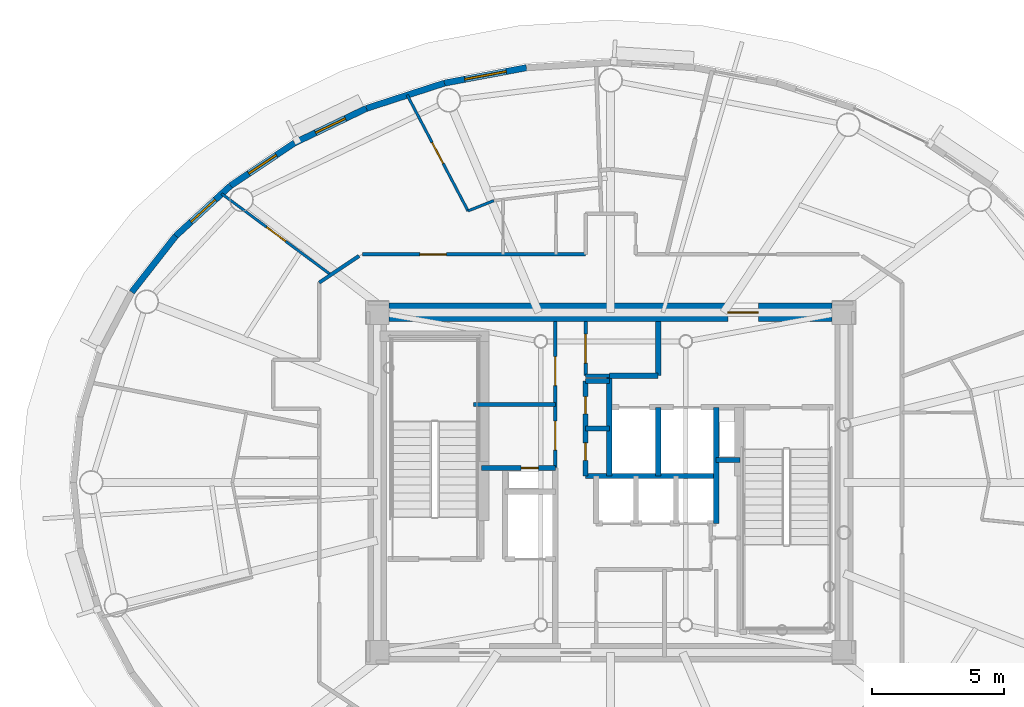
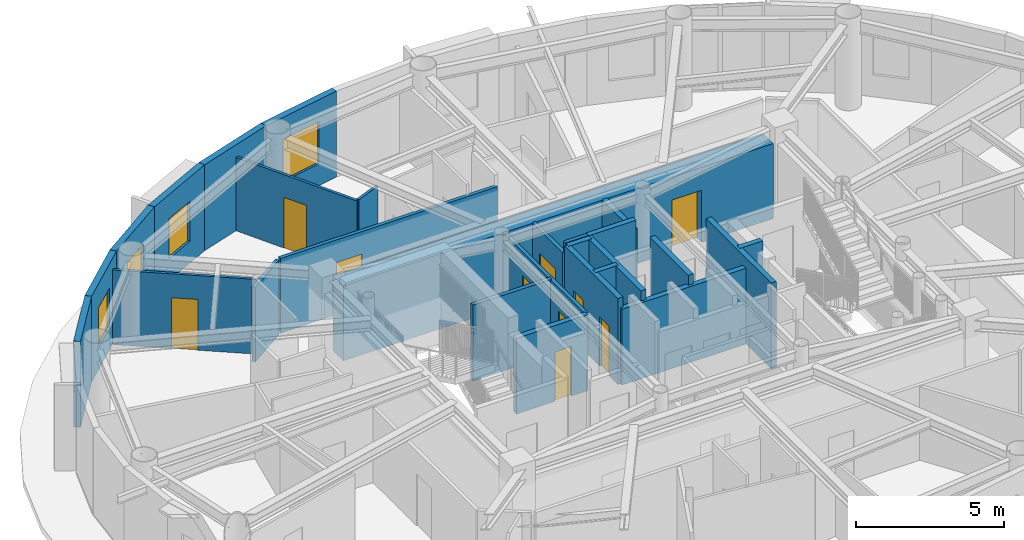
# One storey, part 9 of 17: 27 walls, 10 doors, 4 windows, 14 openings.
"""IFC4 building model written with IfcOpenShell, lengths in metres."""

from ifc_helpers import new_model, si_unit, direction, frame, frame_2d, origin, origin_2d, place, context, subcontext, project, spatial, rectangle, extrude, source, transform, mapped, material, layer, layer_set, type_object, element, fill, save


model = new_model("IFC4")

# Units and contexts
model_context = context("Model", 3, precision=1e-05, world=origin(), true_north=direction((0.0, 1.0)))
body_context = subcontext(model_context, "Body", "Model", "MODEL_VIEW")
ifc_project = project(units=[si_unit("LENGTHUNIT", "METRE"), si_unit("AREAUNIT", "SQUARE_METRE"), si_unit("VOLUMEUNIT", "CUBIC_METRE"), si_unit("PLANEANGLEUNIT", "RADIAN"), si_unit("MASSUNIT", "GRAM", prefix="KILO")], contexts=[model_context])

# Site, building, storey
site_placement = place(None, origin())
site = spatial("IfcSite", under=ifc_project, at=site_placement, CompositionType="ELEMENT")
building_placement = place(site_placement, origin())
building = spatial("IfcBuilding", under=site, at=building_placement, Name="Linh Dai School and Residence Tower", CompositionType="ELEMENT")
storey_placement = place(building_placement, frame((0.0, 0.0, 324.0)))
storey = spatial("IfcBuildingStorey", under=building, at=storey_placement, Name="L80", CompositionType="ELEMENT", Elevation=324.0)

# Wall, opening, window
ifc_material_1 = material(Name="Precast Concrete B45 (C35/45)", Category="concrete")
ifc_layer_1 = layer(ifc_material_1, 0.239990234375)
ifc_layer_set_1 = layer_set([ifc_layer_1], Name="Precast Concrete B45 (C35/45)")
wall_type_1 = type_object("IfcWallType", Name="EW-TC-240", PredefinedType="SOLIDWALL", material=ifc_layer_set_1)
wall_1_placement = place(storey_placement, frame((29.696044921875, 42.14794921875, 0.0), z_axis=(0.0, 0.0, 1.0), x_axis=(0.98276643264, 0.184851667226, 0.0)))
wall_1 = element("IfcWall", 1, at=wall_1_placement, inside=storey, type_object=wall_type_1, Name="L80 Terracotta Exterior Wall 12", PredefinedType="SOLIDWALL", context=body_context, shape_type="SweptSolid", body=[
    extrude(rectangle(XDim=3.167236328125, YDim=0.239990234375, at=frame_2d((1.58349609375, 0.0))), origin(), (0.0, 0.0, 1.0), 3.550048828125),
])
opening_1_placement = place(wall_1_placement, frame((0.78369140625, 0.0, 0.89990234375)))
opening_1 = element("IfcOpeningElement", 2, at=opening_1_placement, cuts=wall_1, Name="Opening W2", PredefinedType="OPENING", context=body_context, shape_type="SweptSolid", body=[
    extrude(rectangle(XDim=1.60009765625, YDim=1.75, at=origin_2d()), frame((0.800048828125, 0.1298828125, 0.875), z_axis=(0.0, -1.0, 0.0), x_axis=(1.0, 0.0, 0.0)), (0.0, 0.0, 1.0), 0.260009765625),
])
ifc_material_2 = material(Name="Double Low-E Insulated Glazing", Category="glass")
window_type_1 = type_object("IfcWindowType", Name="WN-RES-1600x1750", PartitioningType="DOUBLE_PANEL_VERTICAL", PredefinedType="WINDOW", material=ifc_material_2)
shared_shape_1 = source(origin(), body_context, "Body", "SweptSolid", [
    extrude(rectangle(XDim=1.60009765625, YDim=1.75, at=origin_2d()), frame((0.800048828125, 0.030029296875, 0.875), z_axis=(0.0, -1.0, 0.0), x_axis=(1.0, 0.0, 0.0)), (0.0, 0.0, 1.0), 0.06005859375),
])
window_1_placement = place(opening_1_placement, origin())
window_1 = element("IfcWindow", 3, at=window_1_placement, inside=storey, type_object=window_type_1, Name="L80 Exterior Window 12.1", OverallHeight=1.75, OverallWidth=1.60009765625, PartitioningType="DOUBLE_PANEL_VERTICAL", PredefinedType="WINDOW", context=body_context, shape_type="MappedRepresentation", body=[
    mapped(shared_shape_1, transform((0.0, 0.0, 0.0), x_axis=(1.0, 0.0, 0.0), y_axis=(0.0, 1.0, 0.0), z_axis=(0.0, 0.0, 1.0), scale=1.0)),
])
fill(opening_1, window_1)

# Wall
wall_2_placement = place(storey_placement, frame((26.739501953125, 41.18896484375, 0.0), z_axis=(0.0, 0.0, 1.0), x_axis=(0.951212850731, 0.308535431682, 0.0)))
element("IfcWall", 4, at=wall_2_placement, inside=storey, type_object=wall_type_1, Name="L80 Terracotta Exterior Wall 13", PredefinedType="SOLIDWALL", context=body_context, shape_type="SweptSolid", body=[
    extrude(rectangle(XDim=3.108154296875, YDim=0.239990234375, at=frame_2d((1.55419921875, 0.0))), origin(), (0.0, 0.0, 1.0), 3.550048828125),
])

# Wall, opening, window
wall_3_placement = place(storey_placement, frame((24.01220703125, 39.880126953125, 0.0), z_axis=(0.0, 0.0, 1.0), x_axis=(0.901557057889, 0.432660226241, 0.0)))
wall_3 = element("IfcWall", 5, at=wall_3_placement, inside=storey, type_object=wall_type_1, Name="L80 Terracotta Exterior Wall 14", PredefinedType="SOLIDWALL", context=body_context, shape_type="SweptSolid", body=[
    extrude(rectangle(XDim=3.025146484375, YDim=0.239990234375, at=frame_2d((1.5126953125, 0.0))), origin(), (0.0, 0.0, 1.0), 3.550048828125),
])
opening_2_placement = place(wall_3_placement, frame((0.8876953125, 0.0, 0.89990234375)))
opening_2 = element("IfcOpeningElement", 6, at=opening_2_placement, cuts=wall_3, Name="Opening W3", PredefinedType="OPENING", context=body_context, shape_type="SweptSolid", body=[
    extrude(rectangle(XDim=1.25, YDim=1.64990234375, at=origin_2d()), frame((0.625, 0.1298828125, 0.824951171875), z_axis=(0.0, -1.0, 0.0), x_axis=(1.0, 0.0, 0.0)), (0.0, 0.0, 1.0), 0.260009765625),
])
window_type_2 = type_object("IfcWindowType", Name="WN-RES-1250x1650", PartitioningType="SINGLE_PANEL", PredefinedType="WINDOW", material=ifc_material_2)
shared_shape_2 = source(origin(), body_context, "Body", "SweptSolid", [
    extrude(rectangle(XDim=1.25, YDim=1.64990234375, at=origin_2d()), frame((0.625, 0.030029296875, 0.824951171875), z_axis=(0.0, -1.0, 0.0), x_axis=(1.0, 0.0, 0.0)), (0.0, 0.0, 1.0), 0.06005859375),
])
window_2_placement = place(opening_2_placement, origin())
window_2 = element("IfcWindow", 7, at=window_2_placement, inside=storey, type_object=window_type_2, Name="L80 Exterior Window 14.1", OverallHeight=1.64990234375, OverallWidth=1.25, PartitioningType="SINGLE_PANEL", PredefinedType="WINDOW", context=body_context, shape_type="MappedRepresentation", body=[
    mapped(shared_shape_2, transform((0.0, 0.0, 0.0), x_axis=(1.0, 0.0, 0.0), y_axis=(0.0, 1.0, 0.0), z_axis=(0.0, 0.0, 1.0), scale=1.0)),
])
fill(opening_2, window_2)

wall_4_placement = place(storey_placement, frame((21.581298828125, 38.254150390625, 0.0), z_axis=(0.0, 0.0, 1.0), x_axis=(0.831201688654, 0.555970999944, 0.0)))
wall_4 = element("IfcWall", 8, at=wall_4_placement, inside=storey, type_object=wall_type_1, Name="L80 Terracotta Exterior Wall 15", PredefinedType="SOLIDWALL", context=body_context, shape_type="SweptSolid", body=[
    extrude(rectangle(XDim=2.924560546875, YDim=0.239990234375, at=frame_2d((1.46240234375, 0.0))), origin(), (0.0, 0.0, 1.0), 3.550048828125),
])
opening_3_placement = place(wall_4_placement, frame((0.83740234375, 0.0, 0.89990234375)))
opening_3 = element("IfcOpeningElement", 9, at=opening_3_placement, cuts=wall_4, Name="Opening W3", PredefinedType="OPENING", context=body_context, shape_type="SweptSolid", body=[
    extrude(rectangle(XDim=1.25, YDim=1.64990234375, at=origin_2d()), frame((0.625, 0.1298828125, 0.824951171875), z_axis=(0.0, -1.0, 0.0), x_axis=(1.0, 0.0, 0.0)), (0.0, 0.0, 1.0), 0.260009765625),
])
window_3_placement = place(opening_3_placement, origin())
window_3 = element("IfcWindow", 10, at=window_3_placement, inside=storey, type_object=window_type_2, Name="L80 Exterior Window 15.1", OverallHeight=1.64990234375, OverallWidth=1.25, PartitioningType="SINGLE_PANEL", PredefinedType="WINDOW", context=body_context, shape_type="MappedRepresentation", body=[
    mapped(shared_shape_2, transform((0.0, 0.0, 0.0), x_axis=(1.0, 0.0, 0.0), y_axis=(0.0, 1.0, 0.0), z_axis=(0.0, 0.0, 1.0), scale=1.0)),
])
fill(opening_3, window_3)

wall_5_placement = place(storey_placement, frame((19.5068359375, 36.351806640625, 0.0), z_axis=(0.0, 0.0, 1.0), x_axis=(0.737020907932, 0.675869944051, 0.0)))
wall_5 = element("IfcWall", 11, at=wall_5_placement, inside=storey, type_object=wall_type_1, Name="L80 Terracotta Exterior Wall 16", PredefinedType="SOLIDWALL", context=body_context, shape_type="SweptSolid", body=[
    extrude(rectangle(XDim=2.814697265625, YDim=0.239990234375, at=frame_2d((1.4072265625, 0.0))), origin(), (0.0, 0.0, 1.0), 3.550048828125),
])
opening_4_placement = place(wall_5_placement, frame((0.782470703125, 0.0, 0.89990234375)))
opening_4 = element("IfcOpeningElement", 12, at=opening_4_placement, cuts=wall_5, Name="Opening W3", PredefinedType="OPENING", context=body_context, shape_type="SweptSolid", body=[
    extrude(rectangle(XDim=1.25, YDim=1.64990234375, at=origin_2d()), frame((0.625, 0.1298828125, 0.824951171875), z_axis=(0.0, -1.0, 0.0), x_axis=(1.0, 0.0, 0.0)), (0.0, 0.0, 1.0), 0.260009765625),
])
window_4_placement = place(opening_4_placement, origin())
window_4 = element("IfcWindow", 13, at=window_4_placement, inside=storey, type_object=window_type_2, Name="L80 Dwelling Window U8001-BD2", OverallHeight=1.64990234375, OverallWidth=1.25, PartitioningType="SINGLE_PANEL", PredefinedType="WINDOW", context=body_context, shape_type="MappedRepresentation", body=[
    mapped(shared_shape_2, transform((0.0, 0.0, 0.0), x_axis=(1.0, 0.0, 0.0), y_axis=(0.0, 1.0, 0.0), z_axis=(0.0, 0.0, 1.0), scale=1.0)),
])
fill(opening_4, window_4)

# Walls
wall_6_placement = place(storey_placement, frame((17.839111328125, 34.220703125, 0.0), z_axis=(0.0, 0.0, 1.0), x_axis=(0.616286367698, 0.78752213492, 0.0)))
element("IfcWall", 14, at=wall_6_placement, inside=storey, type_object=wall_type_1, Name="L80 Terracotta Exterior Wall 17", PredefinedType="SOLIDWALL", context=body_context, shape_type="SweptSolid", body=[
    extrude(rectangle(XDim=2.7060546875, YDim=0.239990234375, at=frame_2d((1.35302734375, 0.0))), origin(), (0.0, 0.0, 1.0), 3.550048828125),
])
ifc_material_3 = material(Name="Autoclaved Aerated Concrete Blockwork", Category="masonry")
ifc_layer_2 = layer(ifc_material_3, 0.135009765625)
ifc_layer_set_2 = layer_set([ifc_layer_2], Name="Autoclaved Aerated Concrete Blockwork")
wall_type_2 = type_object("IfcWallType", Name="IW-CORR-135-EI90", PredefinedType="PARTITIONING", material=ifc_layer_set_2)
wall_7_placement = place(storey_placement, frame((24.949951171875, 34.58251953125, 0.0), z_axis=(0.0, 0.0, 1.0), x_axis=(0.831138642659, 0.556065244984, 0.0)))
element("IfcWall", 15, at=wall_7_placement, inside=storey, type_object=wall_type_2, Name="L80 Interior Partition Wall 015", PredefinedType="PARTITIONING", context=body_context, shape_type="SweptSolid", body=[
    extrude(rectangle(XDim=1.81494140625, YDim=0.135009765625, at=frame_2d((0.907470703125, 0.0))), origin(), (0.0, 0.0, 1.0), 3.0849609375),
])

# Wall, opening, door
wall_8_placement = place(storey_placement, frame((26.580078125, 35.64990234375, 0.0), z_axis=(0.0, 0.0, 1.0), x_axis=(1.0, 0.0, 0.0)))
wall_8 = element("IfcWall", 16, at=wall_8_placement, inside=storey, type_object=wall_type_2, Name="L80 Interior Partition Wall 017", PredefinedType="PARTITIONING", context=body_context, shape_type="SweptSolid", body=[
    extrude(rectangle(XDim=8.469970703125, YDim=0.135009765625, at=frame_2d((4.23486328125, 0.0))), origin(), (0.0, 0.0, 1.0), 3.0849609375),
])
opening_5_placement = place(wall_8_placement, frame((2.188232421875, 0.0, 0.0)))
opening_5 = element("IfcOpeningElement", 17, at=opening_5_placement, cuts=wall_8, Name="Opening D03", PredefinedType="OPENING", context=body_context, shape_type="SweptSolid", body=[
    extrude(rectangle(XDim=1.0, YDim=2.14990234375, at=origin_2d()), frame((0.5, 0.07763671875, 1.074951171875), z_axis=(0.0, -1.0, 0.0), x_axis=(1.0, 0.0, 0.0)), (0.0, 0.0, 1.0), 0.155029296875),
])
ifc_material_4 = material(Name="Fire-Rated Solid Timber Entrance Door", Category="wood")
door_type_1 = type_object("IfcDoorType", Name="DR-FLAT-1000x2150-FD60S", OperationType="NOTDEFINED", PredefinedType="DOOR", material=ifc_material_4)
shared_shape_3 = source(origin(), body_context, "Body", "SweptSolid", [
    extrude(rectangle(XDim=1.0, YDim=2.14990234375, at=origin_2d()), frame((0.5, 0.02490234375, 1.074951171875), z_axis=(0.0, -1.0, 0.0), x_axis=(1.0, 0.0, 0.0)), (0.0, 0.0, 1.0), 0.050048828125),
])
door_1_placement = place(opening_5_placement, origin())
door_1 = element("IfcDoor", 18, at=door_1_placement, inside=storey, type_object=door_type_1, Name="L80 U8001 Apartment Entrance Door", OperationType="SINGLE_SWING_LEFT", OverallHeight=2.14990234375, OverallWidth=1.0, PredefinedType="DOOR", context=body_context, shape_type="MappedRepresentation", body=[
    mapped(shared_shape_3, transform((0.0, 0.0, 0.0), x_axis=(1.0, 0.0, 0.0), y_axis=(0.0, 1.0, 0.0), z_axis=(0.0, 0.0, 1.0), scale=1.0)),
])
fill(opening_5, door_1)

# Wall, openings, doors
wall_9_placement = place(storey_placement, frame((33.89990234375, 27.56005859375, 0.0), z_axis=(0.0, 0.0, 1.0), x_axis=(0.0, 1.0, 0.0)))
wall_9 = element("IfcWall", 19, at=wall_9_placement, inside=storey, type_object=wall_type_2, Name="L80 Interior Partition Wall 034", PredefinedType="PARTITIONING", context=body_context, shape_type="SweptSolid", body=[
    extrude(rectangle(XDim=5.5400390625, YDim=0.135009765625, at=frame_2d((2.77001953125, 0.0))), origin(), (0.0, 0.0, 1.0), 3.135009765625),
])
opening_6_placement = place(wall_9_placement, frame((0.6650390625, 0.0, 0.0)))
opening_6 = element("IfcOpeningElement", 20, at=opening_6_placement, cuts=wall_9, Name="Opening D07", PredefinedType="OPENING", context=body_context, shape_type="SweptSolid", body=[
    extrude(rectangle(XDim=1.10009765625, YDim=2.14990234375, at=origin_2d()), frame((0.550048828125, 0.07763671875, 1.074951171875), z_axis=(0.0, -1.0, 0.0), x_axis=(1.0, 0.0, 0.0)), (0.0, 0.0, 1.0), 0.155029296875),
])
opening_7_placement = place(wall_9_placement, frame((3.117431640625, 0.0, 0.0)))
opening_7 = element("IfcOpeningElement", 21, at=opening_7_placement, cuts=wall_9, Name="Opening D07", PredefinedType="OPENING", context=body_context, shape_type="SweptSolid", body=[
    extrude(rectangle(XDim=1.10009765625, YDim=2.14990234375, at=origin_2d()), frame((0.550048828125, 0.07763671875, 1.074951171875), z_axis=(0.0, -1.0, 0.0), x_axis=(1.0, 0.0, 0.0)), (0.0, 0.0, 1.0), 0.155029296875),
])
ifc_material_5 = material(Name="Fire-Rated Louvred Steel Plant Door", Category="steel")
door_type_2 = type_object("IfcDoorType", Name="DR-PLT-1100x2150-FD60S", OperationType="NOTDEFINED", PredefinedType="DOOR", material=ifc_material_5)
shared_shape_4 = source(origin(), body_context, "Body", "SweptSolid", [
    extrude(rectangle(XDim=1.10009765625, YDim=2.14990234375, at=origin_2d()), frame((0.550048828125, 0.02490234375, 1.074951171875), z_axis=(0.0, -1.0, 0.0), x_axis=(1.0, 0.0, 0.0)), (0.0, 0.0, 1.0), 0.050048828125),
])
door_2_placement = place(opening_6_placement, origin())
door_2 = element("IfcDoor", 22, at=door_2_placement, inside=storey, type_object=door_type_2, Name="L80 BMS and Data Room Door", OperationType="SINGLE_SWING_RIGHT", OverallHeight=2.14990234375, OverallWidth=1.10009765625, PredefinedType="DOOR", context=body_context, shape_type="MappedRepresentation", body=[
    mapped(shared_shape_4, transform((0.0, 0.0, 0.0), x_axis=(1.0, 0.0, 0.0), y_axis=(0.0, 1.0, 0.0), z_axis=(0.0, 0.0, 1.0), scale=1.0)),
])
fill(opening_6, door_2)
door_3_placement = place(opening_7_placement, origin())
door_3 = element("IfcDoor", 23, at=door_3_placement, inside=storey, type_object=door_type_2, Name="L80 Housekeeping Linen Room Door", OperationType="SINGLE_SWING_LEFT", OverallHeight=2.14990234375, OverallWidth=1.10009765625, PredefinedType="DOOR", context=body_context, shape_type="MappedRepresentation", body=[
    mapped(shared_shape_4, transform((0.0, 0.0, 0.0), x_axis=(1.0, 0.0, 0.0), y_axis=(0.0, 1.0, 0.0), z_axis=(0.0, 0.0, 1.0), scale=1.0)),
])
fill(opening_7, door_3)

# Wall, opening, door
wall_10_placement = place(storey_placement, frame((35.050048828125, 31.050048828125, 0.0), z_axis=(0.0, 0.0, 1.0), x_axis=(0.0, 1.0, 0.0)))
wall_10 = element("IfcWall", 24, at=wall_10_placement, inside=storey, type_object=wall_type_2, Name="L80 Interior Partition Wall 040", PredefinedType="PARTITIONING", context=body_context, shape_type="SweptSolid", body=[
    extrude(rectangle(XDim=2.050048828125, YDim=0.135009765625, at=frame_2d((1.02490234375, 0.0))), origin(), (0.0, 0.0, 1.0), 3.135009765625),
])
opening_8_placement = place(wall_10_placement, frame((0.47509765625, 0.0, 0.0)))
opening_8 = element("IfcOpeningElement", 25, at=opening_8_placement, cuts=wall_10, Name="Opening D07", PredefinedType="OPENING", context=body_context, shape_type="SweptSolid", body=[
    extrude(rectangle(XDim=1.10009765625, YDim=2.14990234375, at=origin_2d()), frame((0.550048828125, 0.07763671875, 1.074951171875), z_axis=(0.0, -1.0, 0.0), x_axis=(1.0, 0.0, 0.0)), (0.0, 0.0, 1.0), 0.155029296875),
])
door_4_placement = place(opening_8_placement, origin())
door_4 = element("IfcDoor", 26, at=door_4_placement, inside=storey, type_object=door_type_2, Name="L80 North Telecom Switchroom Door", OperationType="SINGLE_SWING_RIGHT", OverallHeight=2.14990234375, OverallWidth=1.10009765625, PredefinedType="DOOR", context=body_context, shape_type="MappedRepresentation", body=[
    mapped(shared_shape_4, transform((0.0, 0.0, 0.0), x_axis=(1.0, 0.0, 0.0), y_axis=(0.0, 1.0, 0.0), z_axis=(0.0, 0.0, 1.0), scale=1.0)),
])
fill(opening_8, door_4)

# Walls
wall_11_placement = place(storey_placement, frame((35.050048828125, 31.050048828125, 0.0), z_axis=(0.0, 0.0, 1.0), x_axis=(1.0, 0.0, 0.0)))
element("IfcWall", 27, at=wall_11_placement, inside=storey, type_object=wall_type_2, Name="L80 Interior Partition Wall 041", PredefinedType="PARTITIONING", context=body_context, shape_type="SweptSolid", body=[
    extrude(rectangle(XDim=0.89990234375, YDim=0.135009765625, at=frame_2d((0.449951171875, 0.0))), origin(), (0.0, 0.0, 1.0), 3.550048828125),
])
ifc_layer_3 = layer(ifc_material_3, 0.14990234375)
ifc_layer_set_3 = layer_set([ifc_layer_3], Name="Autoclaved Aerated Concrete Blockwork")
wall_type_3 = type_object("IfcWallType", Name="IW-SCH-150-EI60", PredefinedType="PARTITIONING", material=ifc_layer_set_3)
wall_12_placement = place(storey_placement, frame((30.800048828125, 29.949951171875, 0.0), z_axis=(0.0, 0.0, 1.0), x_axis=(1.0, 0.0, 0.0)))
element("IfcWall", 28, at=wall_12_placement, inside=storey, type_object=wall_type_3, Name="L80 Interior Partition Wall 022", PredefinedType="PARTITIONING", context=body_context, shape_type="SweptSolid", body=[
    extrude(rectangle(XDim=3.099853515625, YDim=0.14990234375, at=frame_2d((1.5498046875, 0.0))), origin(), (0.0, 0.0, 1.0), 3.135009765625),
])

# Wall, opening, door
ifc_material_6 = material(Name="Concrete B45 (C35/45)", Category="concrete")
ifc_layer_4 = layer(ifc_material_6, 0.199951171875)
ifc_layer_set_4 = layer_set([ifc_layer_4], Name="Concrete B45 (C35/45)")
wall_type_4 = type_object("IfcWallType", Name="IW-SHAFT-200-EI120", PredefinedType="PARTITIONING", material=ifc_layer_set_4)
wall_13_placement = place(storey_placement, frame((31.10009765625, 27.550048828125, 0.0), z_axis=(0.0, 0.0, 1.0), x_axis=(1.0, 0.0, 0.0)))
wall_13 = element("IfcWall", 29, at=wall_13_placement, inside=storey, type_object=wall_type_4, Name="L80 Interior Partition Wall 024", PredefinedType="PARTITIONING", context=body_context, shape_type="SweptSolid", body=[
    extrude(rectangle(XDim=2.7998046875, YDim=0.199951171875, at=frame_2d((1.39990234375, 0.0))), origin(), (0.0, 0.0, 1.0), 3.135009765625),
])
opening_9_placement = place(wall_13_placement, frame((1.5, 0.0, 0.0)))
opening_9 = element("IfcOpeningElement", 30, at=opening_9_placement, cuts=wall_13, Name="Opening AD1", PredefinedType="OPENING", context=body_context, shape_type="SweptSolid", body=[
    extrude(rectangle(XDim=0.659912109375, YDim=2.050048828125, at=origin_2d()), frame((0.330078125, 0.10986328125, 1.02490234375), z_axis=(0.0, -1.0, 0.0), x_axis=(1.0, 0.0, 0.0)), (0.0, 0.0, 1.0), 0.219970703125),
])
ifc_material_7 = material(Name="Fire-Rated Steel Riser Access Door", Category="steel")
door_type_3 = type_object("IfcDoorType", Name="DR-ACC-660x2050-FD90S", OperationType="NOTDEFINED", PredefinedType="USERDEFINED", material=ifc_material_7)
shared_shape_5 = source(origin(), body_context, "Body", "SweptSolid", [
    extrude(rectangle(XDim=0.659912109375, YDim=2.050048828125, at=origin_2d()), frame((0.330078125, 0.02490234375, 1.02490234375), z_axis=(0.0, -1.0, 0.0), x_axis=(1.0, 0.0, 0.0)), (0.0, 0.0, 1.0), 0.050048828125),
])
door_5_placement = place(opening_9_placement, origin())
door_5 = element("IfcDoor", 31, at=door_5_placement, inside=storey, type_object=door_type_3, Name="L80 Main Electrical Riser Access Door", ObjectType="ACCESS DOOR", OperationType="SINGLE_SWING_RIGHT", OverallHeight=2.050048828125, OverallWidth=0.659912109375, PredefinedType="USERDEFINED", context=body_context, shape_type="MappedRepresentation", body=[
    mapped(shared_shape_5, transform((0.0, 0.0, 0.0), x_axis=(1.0, 0.0, 0.0), y_axis=(0.0, 1.0, 0.0), z_axis=(0.0, 0.0, 1.0), scale=1.0)),
])
fill(opening_9, door_5)

# Wall, openings, doors
wall_14_placement = place(storey_placement, frame((35.050048828125, 27.25, 0.0), z_axis=(0.0, 0.0, 1.0), x_axis=(0.0, 1.0, 0.0)))
wall_14 = element("IfcWall", 32, at=wall_14_placement, inside=storey, type_object=wall_type_4, Name="L80 Interior Partition Wall 036", PredefinedType="PARTITIONING", context=body_context, shape_type="SweptSolid", body=[
    extrude(rectangle(XDim=3.60009765625, YDim=0.199951171875, at=frame_2d((1.800048828125, 0.0))), origin(), (0.0, 0.0, 1.0), 3.550048828125),
])
opening_10_placement = place(wall_14_placement, frame((0.590087890625, 0.0, 0.0)))
opening_10 = element("IfcOpeningElement", 33, at=opening_10_placement, cuts=wall_14, Name="Opening AD1", PredefinedType="OPENING", context=body_context, shape_type="SweptSolid", body=[
    extrude(rectangle(XDim=0.659912109375, YDim=2.050048828125, at=origin_2d()), frame((0.330078125, 0.10986328125, 1.02490234375), z_axis=(0.0, -1.0, 0.0), x_axis=(1.0, 0.0, 0.0)), (0.0, 0.0, 1.0), 0.219970703125),
])
opening_11_placement = place(wall_14_placement, frame((2.35009765625, 0.0, 0.0)))
opening_11 = element("IfcOpeningElement", 34, at=opening_11_placement, cuts=wall_14, Name="Opening AD1", PredefinedType="OPENING", context=body_context, shape_type="SweptSolid", body=[
    extrude(rectangle(XDim=0.659912109375, YDim=2.050048828125, at=origin_2d()), frame((0.330078125, 0.10986328125, 1.02490234375), z_axis=(0.0, -1.0, 0.0), x_axis=(1.0, 0.0, 0.0)), (0.0, 0.0, 1.0), 0.219970703125),
])
door_6_placement = place(opening_10_placement, origin())
door_6 = element("IfcDoor", 35, at=door_6_placement, inside=storey, type_object=door_type_3, Name="L80 Telecom and Data Riser Access Door", ObjectType="ACCESS DOOR", OperationType="SINGLE_SWING_RIGHT", OverallHeight=2.050048828125, OverallWidth=0.659912109375, PredefinedType="USERDEFINED", context=body_context, shape_type="MappedRepresentation", body=[
    mapped(shared_shape_5, transform((0.0, 0.0, 0.0), x_axis=(1.0, 0.0, 0.0), y_axis=(0.0, 1.0, 0.0), z_axis=(0.0, 0.0, 1.0), scale=1.0)),
])
fill(opening_10, door_6)
door_7_placement = place(opening_11_placement, origin())
door_7 = element("IfcDoor", 36, at=door_7_placement, inside=storey, type_object=door_type_3, Name="L80 Mechanical and Plumbing Riser Access Door", ObjectType="ACCESS DOOR", OperationType="SINGLE_SWING_LEFT", OverallHeight=2.050048828125, OverallWidth=0.659912109375, PredefinedType="USERDEFINED", context=body_context, shape_type="MappedRepresentation", body=[
    mapped(shared_shape_5, transform((0.0, 0.0, 0.0), x_axis=(1.0, 0.0, 0.0), y_axis=(0.0, 1.0, 0.0), z_axis=(0.0, 0.0, 1.0), scale=1.0)),
])
fill(opening_11, door_7)

# Walls
wall_15_placement = place(storey_placement, frame((35.050048828125, 27.25, 0.0), z_axis=(0.0, 0.0, 1.0), x_axis=(1.0, 0.0, 0.0)))
element("IfcWall", 37, at=wall_15_placement, inside=storey, type_object=wall_type_4, Name="L80 Interior Partition Wall 037", PredefinedType="PARTITIONING", context=body_context, shape_type="SweptSolid", body=[
    extrude(rectangle(XDim=4.949951171875, YDim=0.199951171875, at=frame_2d((2.47509765625, 0.0))), origin(), (0.0, 0.0, 1.0), 3.135009765625),
])
for number, where, z_axis, x_axis, name in (
    (38, (35.050048828125, 29.050048828125, 0.0), (0.0, 0.0, 1.0), (1.0, 0.0, 0.0), "L80 Interior Partition Wall 038"),
    (39, (35.050048828125, 30.85009765625, 0.0), (0.0, 0.0, 1.0), (1.0, 0.0, 0.0), "L80 Interior Partition Wall 039"),
):
    element("IfcWall", number, at=place(storey_placement, frame(where, z_axis=z_axis, x_axis=x_axis)), inside=storey, type_object=wall_type_4, Name=name, PredefinedType="PARTITIONING", context=body_context, shape_type="SweptSolid", body=[
        extrude(rectangle(XDim=0.89990234375, YDim=0.199951171875, at=frame_2d((0.449951171875, 0.0))), origin(), (0.0, 0.0, 1.0), 3.550048828125),
    ])
wall_16_placement = place(storey_placement, frame((35.949951171875, 27.25, 0.0), z_axis=(0.0, 0.0, 1.0), x_axis=(0.0, 1.0, 0.0)))
element("IfcWall", 40, at=wall_16_placement, inside=storey, type_object=wall_type_4, Name="L80 Interior Partition Wall 051", PredefinedType="PARTITIONING", context=body_context, shape_type="SweptSolid", body=[
    extrude(rectangle(XDim=3.800048828125, YDim=0.199951171875, at=frame_2d((1.89990234375, 0.0))), origin(), (0.0, 0.0, 1.0), 3.550048828125),
])
wall_17_placement = place(storey_placement, frame((35.9599609375, 31.050048828125, 0.0), z_axis=(0.0, 0.0, 1.0), x_axis=(1.0, 0.0, 0.0)))
element("IfcWall", 41, at=wall_17_placement, inside=storey, type_object=wall_type_4, Name="L80 Interior Partition Wall 053", PredefinedType="PARTITIONING", context=body_context, shape_type="SweptSolid", body=[
    extrude(rectangle(XDim=1.840087890625, YDim=0.199951171875, at=frame_2d((0.919921875, 0.0))), origin(), (0.0, 0.0, 1.0), 3.550048828125),
])
wall_18_placement = place(storey_placement, frame((37.800048828125, 27.25, 0.0), z_axis=(0.0, 0.0, 1.0), x_axis=(0.0, 1.0, 0.0)))
element("IfcWall", 42, at=wall_18_placement, inside=storey, type_object=wall_type_4, Name="L80 Interior Partition Wall 060", PredefinedType="PARTITIONING", context=body_context, shape_type="SweptSolid", body=[
    extrude(rectangle(XDim=2.60009765625, YDim=0.199951171875, at=frame_2d((1.300048828125, 0.0))), origin(), (0.0, 0.0, 1.0), 3.550048828125),
])
wall_19_placement = place(storey_placement, frame((37.800048828125, 31.050048828125, 0.0), z_axis=(0.0, 0.0, 1.0), x_axis=(0.0, 1.0, 0.0)))
element("IfcWall", 43, at=wall_19_placement, inside=storey, type_object=wall_type_4, Name="L80 Interior Partition Wall 061", PredefinedType="PARTITIONING", context=body_context, shape_type="SweptSolid", body=[
    extrude(rectangle(XDim=2.050048828125, YDim=0.199951171875, at=frame_2d((1.02490234375, 0.0))), origin(), (0.0, 0.0, 1.0), 3.135009765625),
])
wall_20_placement = place(storey_placement, frame((40.0, 25.449951171875, 0.0), z_axis=(0.0, 0.0, 1.0), x_axis=(0.0, 1.0, 0.0)))
element("IfcWall", 44, at=wall_20_placement, inside=storey, type_object=wall_type_4, Name="L80 Interior Partition Wall 067", PredefinedType="PARTITIONING", context=body_context, shape_type="SweptSolid", body=[
    extrude(rectangle(XDim=4.400146484375, YDim=0.199951171875, at=frame_2d((2.2001953125, 0.0))), origin(), (0.0, 0.0, 1.0), 3.550048828125),
])
wall_21_placement = place(storey_placement, frame((40.0, 27.85009765625, 0.0), z_axis=(0.0, 0.0, 1.0), x_axis=(1.0, 0.0, 0.0)))
element("IfcWall", 45, at=wall_21_placement, inside=storey, type_object=wall_type_4, Name="L80 Interior Partition Wall 068", PredefinedType="PARTITIONING", context=body_context, shape_type="SweptSolid", body=[
    extrude(rectangle(XDim=0.89990234375, YDim=0.199951171875, at=frame_2d((0.449951171875, 0.0))), origin(), (0.0, 0.0, 1.0), 3.550048828125),
])

# Wall, opening, door
ifc_material_8 = material(Name="Gypsum Plasterboard Acoustic Stud Partition", Category="masonry")
ifc_layer_5 = layer(ifc_material_8, 0.10009765625)
ifc_layer_set_5 = layer_set([ifc_layer_5], Name="Gypsum Plasterboard Acoustic Stud Partition")
wall_type_5 = type_object("IfcWallType", Name="IW-UNIT-100", PredefinedType="PARTITIONING", material=ifc_layer_set_5)
wall_22_placement = place(storey_placement, frame((21.245849609375, 37.953369140625, 0.0), z_axis=(0.0, 0.0, 1.0), x_axis=(0.802930783255, -0.596072275233, 0.0)))
wall_22 = element("IfcWall", 46, at=wall_22_placement, inside=storey, type_object=wall_type_5, Name="L80 Interior Partition Wall 003", PredefinedType="PARTITIONING", context=body_context, shape_type="SweptSolid", body=[
    extrude(rectangle(XDim=5.1611328125, YDim=0.10009765625, at=frame_2d((2.58056640625, 0.0))), origin(), (0.0, 0.0, 1.0), 3.0849609375),
])
opening_12_placement = place(wall_22_placement, frame((2.130615234375, 0.0, 0.0)))
opening_12 = element("IfcOpeningElement", 47, at=opening_12_placement, cuts=wall_22, Name="Opening D05", PredefinedType="OPENING", context=body_context, shape_type="SweptSolid", body=[
    extrude(rectangle(XDim=0.89990234375, YDim=2.10009765625, at=origin_2d()), frame((0.449951171875, 0.06005859375, 1.050048828125), z_axis=(0.0, -1.0, 0.0), x_axis=(1.0, 0.0, 0.0)), (0.0, 0.0, 1.0), 0.1201171875),
])
ifc_material_9 = material(Name="Engineered Timber Internal Door", Category="wood")
door_type_4 = type_object("IfcDoorType", Name="DR-INT-900x2100", OperationType="NOTDEFINED", PredefinedType="DOOR", material=ifc_material_9)
shared_shape_6 = source(origin(), body_context, "Body", "SweptSolid", [
    extrude(rectangle(XDim=0.89990234375, YDim=2.10009765625, at=origin_2d()), frame((0.449951171875, 0.02490234375, 1.050048828125), z_axis=(0.0, -1.0, 0.0), x_axis=(1.0, 0.0, 0.0)), (0.0, 0.0, 1.0), 0.050048828125),
])
door_8_placement = place(opening_12_placement, origin())
door_8 = element("IfcDoor", 48, at=door_8_placement, inside=storey, type_object=door_type_4, Name="L80 Apartment U8001 Principal Bedroom 2 Door", OperationType="SINGLE_SWING_LEFT", OverallHeight=2.10009765625, OverallWidth=0.89990234375, PredefinedType="DOOR", context=body_context, shape_type="MappedRepresentation", body=[
    mapped(shared_shape_6, transform((0.0, 0.0, 0.0), x_axis=(1.0, 0.0, 0.0), y_axis=(0.0, 1.0, 0.0), z_axis=(0.0, 0.0, 1.0), scale=1.0)),
])
fill(opening_12, door_8)

wall_23_placement = place(storey_placement, frame((28.283203125, 41.695068359375, 0.0), z_axis=(0.0, 0.0, 1.0), x_axis=(0.464927384911, -0.885348816433, 0.0)))
wall_23 = element("IfcWall", 49, at=wall_23_placement, inside=storey, type_object=wall_type_5, Name="L80 Interior Partition Wall 019", PredefinedType="PARTITIONING", context=body_context, shape_type="SweptSolid", body=[
    extrude(rectangle(XDim=4.96435546875, YDim=0.10009765625, at=frame_2d((2.482177734375, 0.0))), origin(), (0.0, 0.0, 1.0), 3.034912109375),
])
opening_13_placement = place(wall_23_placement, frame((2.0322265625, 0.0, 0.0)))
opening_13 = element("IfcOpeningElement", 50, at=opening_13_placement, cuts=wall_23, Name="Opening D05", PredefinedType="OPENING", context=body_context, shape_type="SweptSolid", body=[
    extrude(rectangle(XDim=0.89990234375, YDim=2.10009765625, at=origin_2d()), frame((0.449951171875, 0.06005859375, 1.050048828125), z_axis=(0.0, -1.0, 0.0), x_axis=(1.0, 0.0, 0.0)), (0.0, 0.0, 1.0), 0.1201171875),
])
door_9_placement = place(opening_13_placement, origin())
door_9 = element("IfcDoor", 51, at=door_9_placement, inside=storey, type_object=door_type_4, Name="L80 Apartment U8001 Bedroom 1 Door", OperationType="SINGLE_SWING_RIGHT", OverallHeight=2.10009765625, OverallWidth=0.89990234375, PredefinedType="DOOR", context=body_context, shape_type="MappedRepresentation", body=[
    mapped(shared_shape_6, transform((0.0, 0.0, 0.0), x_axis=(1.0, 0.0, 0.0), y_axis=(0.0, 1.0, 0.0), z_axis=(0.0, 0.0, 1.0), scale=1.0)),
])
fill(opening_13, door_9)

# Wall
wall_24_placement = place(storey_placement, frame((30.59130859375, 37.2998046875, 0.0), z_axis=(0.0, 0.0, 1.0), x_axis=(0.928829380314, 0.37050773577, 0.0)))
element("IfcWall", 52, at=wall_24_placement, inside=storey, type_object=wall_type_5, Name="L80 Interior Partition Wall 021", PredefinedType="PARTITIONING", context=body_context, shape_type="SweptSolid", body=[
    extrude(rectangle(XDim=1.049072265625, YDim=0.10009765625, at=frame_2d((0.5244140625, 0.0))), origin(), (0.0, 0.0, 1.0), 3.0849609375),
])

# Wall, opening, door
ifc_layer_6 = layer(ifc_material_6, 0.699951171875)
ifc_layer_set_6 = layer_set([ifc_layer_6], Name="Concrete B45 (C35/45)")
wall_type_6 = type_object("IfcWallType", Name="WL-CORE700", PredefinedType="SHEAR", material=ifc_layer_set_6)
wall_25_placement = place(storey_placement, frame((27.60009765625, 33.449951171875, 0.0), z_axis=(0.0, 0.0, 1.0), x_axis=(1.0, 0.0, 0.0)))
wall_25 = element("IfcWall", 53, at=wall_25_placement, inside=storey, type_object=wall_type_6, Name="L80 Central Core Shear Wall N", PredefinedType="SHEAR", context=body_context, shape_type="SweptSolid", body=[
    extrude(rectangle(XDim=16.7998046875, YDim=0.699951171875, at=frame_2d((8.39990234375, 0.0))), origin(), (0.0, 0.0, 1.0), 3.10009765625),
])
opening_14_placement = place(wall_25_placement, frame((12.85009765625, 0.0, 0.0)))
opening_14 = element("IfcOpeningElement", 54, at=opening_14_placement, cuts=wall_25, Name="Opening D02", PredefinedType="OPENING", context=body_context, shape_type="SweptSolid", body=[
    extrude(rectangle(XDim=1.14990234375, YDim=2.14990234375, at=origin_2d()), frame((0.574951171875, 0.35986328125, 1.074951171875), z_axis=(0.0, -1.0, 0.0), x_axis=(1.0, 0.0, 0.0)), (0.0, 0.0, 1.0), 0.719970703125),
])
ifc_material_10 = material(Name="Fire-Rated Glazed Steel Lobby Door", Category="steel")
door_type_5 = type_object("IfcDoorType", Name="DR-LOBBY-1150x2150-FD90S", OperationType="NOTDEFINED", PredefinedType="DOOR", material=ifc_material_10)
shared_shape_7 = source(origin(), body_context, "Body", "SweptSolid", [
    extrude(rectangle(XDim=1.14990234375, YDim=2.14990234375, at=origin_2d()), frame((0.574951171875, 0.02490234375, 1.074951171875), z_axis=(0.0, -1.0, 0.0), x_axis=(1.0, 0.0, 0.0)), (0.0, 0.0, 1.0), 0.050048828125),
])
door_10_placement = place(opening_14_placement, origin())
door_10 = element("IfcDoor", 55, at=door_10_placement, inside=storey, type_object=door_type_5, Name="L80 Firefighting Lobby Door", OperationType="SINGLE_SWING_LEFT", OverallHeight=2.14990234375, OverallWidth=1.14990234375, PredefinedType="DOOR", context=body_context, shape_type="MappedRepresentation", body=[
    mapped(shared_shape_7, transform((0.0, 0.0, 0.0), x_axis=(1.0, 0.0, 0.0), y_axis=(0.0, 1.0, 0.0), z_axis=(0.0, 0.0, 1.0), scale=1.0)),
])
fill(opening_14, door_10)

save(model, "model.ifc")
